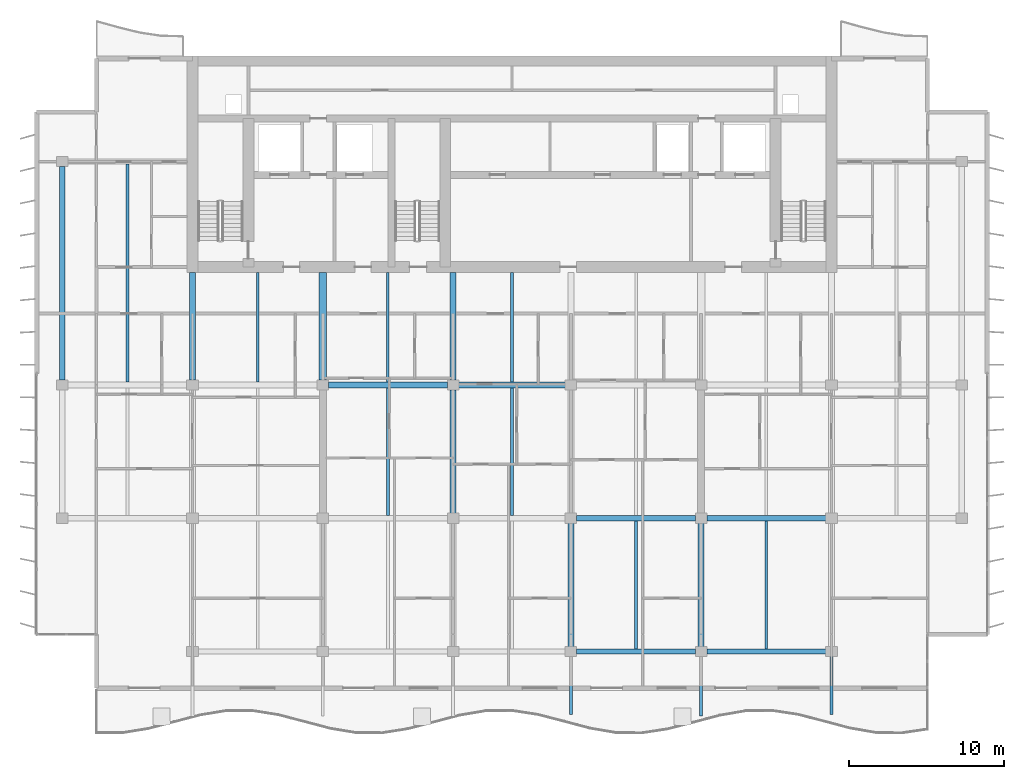
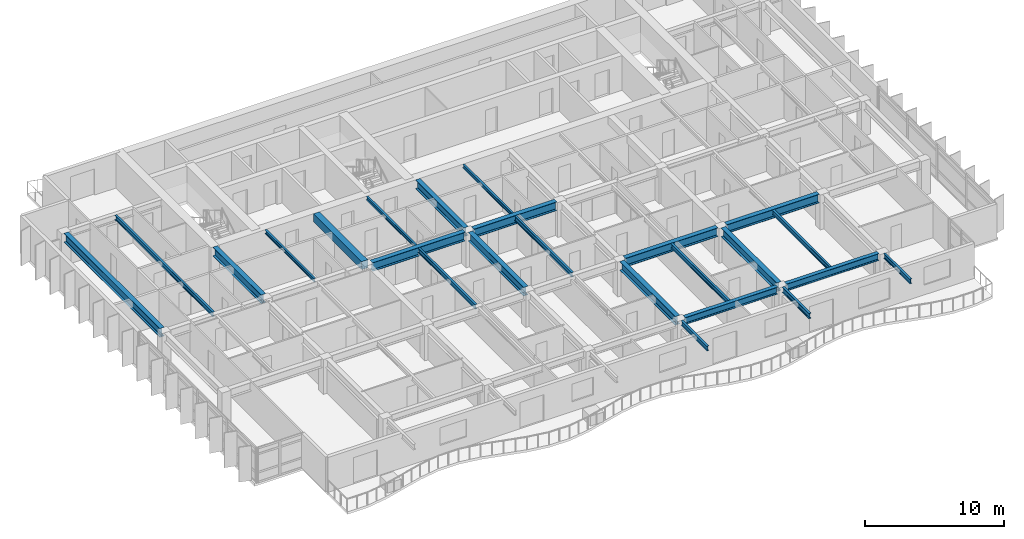
# One storey, part 3 of 16: 24 beams.
"""IFC4 building model written with IfcOpenShell, lengths in metres."""

from ifc_helpers import new_model, si_unit, direction, frame, origin, origin_2d, place, context, subcontext, project, spatial, rectangle, i_section, extrude, material, material_profile, profile_set, type_object, element, save


model = new_model("IFC4")

# Units and contexts
model_context = context("Model", 3, precision=1e-05, world=origin(), true_north=direction((0.0, 1.0)))
body_context = subcontext(model_context, "Body", "Model", "MODEL_VIEW")
ifc_project = project(units=[si_unit("LENGTHUNIT", "METRE"), si_unit("AREAUNIT", "SQUARE_METRE"), si_unit("VOLUMEUNIT", "CUBIC_METRE"), si_unit("PLANEANGLEUNIT", "RADIAN"), si_unit("MASSUNIT", "GRAM", prefix="KILO")], contexts=[model_context])

# Site, building, storey
site_placement = place(None, origin())
site = spatial("IfcSite", under=ifc_project, at=site_placement, CompositionType="ELEMENT")
building_placement = place(site_placement, origin())
building = spatial("IfcBuilding", under=site, at=building_placement, Name="Caelmar Bay Residences", CompositionType="ELEMENT")
storey_placement = place(building_placement, frame((0.0, 0.0, 239.699951171875)))
storey = spatial("IfcBuildingStorey", under=building, at=storey_placement, Name="L67", CompositionType="ELEMENT", Elevation=239.699951171875)

# Beams
ifc_material_1 = material(Name="Steel ASTM A992 Grade 50", Category="steel")
ifc_material_profile_1 = material_profile(ifc_material_1, i_section(OverallWidth=0.177978515625, OverallDepth=0.406005859375, WebThickness=0.0078125, FlangeThickness=0.0126953125, FilletRadius=0.0087890625, at=origin_2d()), Name="W16X40")
ifc_profile_set_1 = profile_set([ifc_material_profile_1], Name="Steel ASTM A992 Grade 50")
beam_type_1 = type_object("IfcBeamType", Name="BM-BAL-W16X40", PredefinedType="JOIST", material=ifc_profile_set_1)
for number, where, z_axis, x_axis, name in (
    (1, (46.89990234375, 12.362548828125, 2.84716796875), (0.0, 1.0, 0.0), (-1.0, 0.0, 0.0), "L67 Composite Floor Joist 4"),
    (2, (55.300048828125, 12.362548828125, 2.84716796875), (0.0, 1.0, 0.0), (-1.0, 0.0, 0.0), "L67 Composite Floor Joist 5"),
):
    element("IfcBeam", number, at=place(storey_placement, frame(where, z_axis=z_axis, x_axis=x_axis)), inside=storey, type_object=beam_type_1, Name=name, PredefinedType="JOIST", context=body_context, shape_type="SweptSolid", body=[
        extrude(i_section(OverallWidth=0.177978515625, OverallDepth=0.406005859375, WebThickness=0.0078125, FlangeThickness=0.0126953125, FilletRadius=0.0087890625, at=origin_2d()), origin(), (0.0, 0.0, 1.0), 8.2470703125),
    ])
for number, where, z_axis, x_axis, name in (
    (3, (30.89990234375, 20.990478515625, 2.84716796875), (0.0, 1.0, 0.0), (-1.0, 0.0, 0.0), "L67 Composite Floor Joist 8"),
    (4, (38.89990234375, 20.990478515625, 2.84716796875), (0.0, 1.0, 0.0), (-1.0, 0.0, 0.0), "L67 Composite Floor Joist 9"),
):
    element("IfcBeam", number, at=place(storey_placement, frame(where, z_axis=z_axis, x_axis=x_axis)), inside=storey, type_object=beam_type_1, Name=name, PredefinedType="JOIST", context=body_context, shape_type="SweptSolid", body=[
        extrude(i_section(OverallWidth=0.177978515625, OverallDepth=0.406005859375, WebThickness=0.0078125, FlangeThickness=0.0126953125, FilletRadius=0.0087890625, at=origin_2d()), origin(), (0.0, 0.0, 1.0), 8.218994140625),
    ])
beam_1_placement = place(storey_placement, frame((14.10009765625, 29.590576171875, 2.84716796875), z_axis=(0.0, 1.0, 0.0), x_axis=(-1.0, 0.0, 0.0)))
element("IfcBeam", 5, at=beam_1_placement, inside=storey, type_object=beam_type_1, Name="L67 Composite Floor Joist 18", PredefinedType="JOIST", context=body_context, shape_type="SweptSolid", body=[
    extrude(i_section(OverallWidth=0.177978515625, OverallDepth=0.406005859375, WebThickness=0.0078125, FlangeThickness=0.0126953125, FilletRadius=0.0087890625, at=origin_2d()), origin(), (0.0, 0.0, 1.0), 14.046875),
])
for number, where, z_axis, x_axis, name in (
    (6, (42.699951171875, 11.885009765625, 2.84716796875), (0.0, -1.0, 0.0), (1.0, 0.0, 0.0), "L68 South Balcony Cantilever Bracket 4"),
    (7, (59.5, 11.885009765625, 2.84716796875), (0.0, -1.0, 0.0), (1.0, 0.0, 0.0), "L68 South Balcony Cantilever Bracket 6"),
):
    element("IfcBeam", number, at=place(storey_placement, frame(where, z_axis=z_axis, x_axis=x_axis)), inside=storey, type_object=beam_type_1, Name=name, PredefinedType="JOIST", context=body_context, shape_type="SweptSolid", body=[
        extrude(i_section(OverallWidth=0.177978515625, OverallDepth=0.406005859375, WebThickness=0.0078125, FlangeThickness=0.0126953125, FilletRadius=0.0087890625, at=origin_2d()), origin(), (0.0, 0.0, 1.0), 3.74951171875),
    ])
ifc_material_profile_2 = material_profile(ifc_material_1, i_section(OverallWidth=0.193115234375, OverallDepth=0.467041015625, WebThickness=0.011474609375, FlangeThickness=0.01904296875, FilletRadius=0.01025390625, at=origin_2d()), Name="W18X65")
ifc_profile_set_2 = profile_set([ifc_material_profile_2], Name="Steel ASTM A992 Grade 50")
beam_type_2 = type_object("IfcBeamType", Name="BM-BAL-W18X65", PredefinedType="BEAM", material=ifc_profile_set_2)
beam_2_placement = place(storey_placement, frame((51.10009765625, 11.885009765625, 2.816650390625), z_axis=(0.0, -1.0, 0.0), x_axis=(1.0, 0.0, 0.0)))
element("IfcBeam", 8, at=beam_2_placement, inside=storey, type_object=beam_type_2, Name="L68 South Balcony Cantilever Bracket 5", PredefinedType="BEAM", context=body_context, shape_type="SweptSolid", body=[
    extrude(i_section(OverallWidth=0.193115234375, OverallDepth=0.467041015625, WebThickness=0.011474609375, FlangeThickness=0.01904296875, FilletRadius=0.01025390625, at=origin_2d()), origin(), (0.0, 0.0, 1.0), 3.85009765625),
])
ifc_material_profile_3 = material_profile(ifc_material_1, i_section(OverallWidth=0.381103515625, OverallDepth=0.77197265625, WebThickness=0.0166015625, FlangeThickness=0.027099609375, FilletRadius=0.0166015625, at=origin_2d()), Name="W30X173")
ifc_profile_set_3 = profile_set([ifc_material_profile_3], Name="Steel ASTM A992 Grade 50")
beam_type_3 = type_object("IfcBeamType", Name="BM-GRD-W30X173", PredefinedType="BEAM", material=ifc_profile_set_3)
beam_3_placement = place(storey_placement, frame((43.06494140625, 20.800048828125, 2.6640625), z_axis=(1.0, 0.0, 0.0), x_axis=(0.0, 1.0, 0.0)))
element("IfcBeam", 9, at=beam_3_placement, inside=storey, type_object=beam_type_3, Name="L67 East-West Girder Y=20.80 (42.7-51.1)", PredefinedType="BEAM", context=body_context, shape_type="SweptSolid", body=[
    extrude(i_section(OverallWidth=0.381103515625, OverallDepth=0.77197265625, WebThickness=0.0166015625, FlangeThickness=0.027099609375, FilletRadius=0.0166015625, at=origin_2d()), origin(), (0.0, 0.0, 1.0), 7.670166015625),
])
beam_4_placement = place(storey_placement, frame((51.465087890625, 20.800048828125, 2.6640625), z_axis=(1.0, 0.0, 0.0), x_axis=(0.0, 1.0, 0.0)))
element("IfcBeam", 10, at=beam_4_placement, inside=storey, type_object=beam_type_3, Name="L67 East-West Girder Y=20.80 (51.1-59.5)", PredefinedType="BEAM", context=body_context, shape_type="SweptSolid", body=[
    extrude(i_section(OverallWidth=0.381103515625, OverallDepth=0.77197265625, WebThickness=0.0166015625, FlangeThickness=0.027099609375, FilletRadius=0.0166015625, at=origin_2d()), origin(), (0.0, 0.0, 1.0), 7.669921875),
])
beam_5_placement = place(storey_placement, frame((27.06494140625, 29.39990234375, 2.6640625), z_axis=(1.0, 0.0, 0.0), x_axis=(0.0, 1.0, 0.0)))
element("IfcBeam", 11, at=beam_5_placement, inside=storey, type_object=beam_type_3, Name="L67 East-West Girder Y=29.40 (26.7-35.1)", PredefinedType="BEAM", context=body_context, shape_type="SweptSolid", body=[
    extrude(i_section(OverallWidth=0.381103515625, OverallDepth=0.77197265625, WebThickness=0.0166015625, FlangeThickness=0.027099609375, FilletRadius=0.0166015625, at=origin_2d()), origin(), (0.0, 0.0, 1.0), 7.670166015625),
])
beam_6_placement = place(storey_placement, frame((35.465087890625, 29.39990234375, 2.6640625), z_axis=(1.0, 0.0, 0.0), x_axis=(0.0, 1.0, 0.0)))
element("IfcBeam", 12, at=beam_6_placement, inside=storey, type_object=beam_type_3, Name="L67 East-West Girder Y=29.40 (35.1-42.7)", PredefinedType="BEAM", context=body_context, shape_type="SweptSolid", body=[
    extrude(i_section(OverallWidth=0.381103515625, OverallDepth=0.77197265625, WebThickness=0.0166015625, FlangeThickness=0.027099609375, FilletRadius=0.0166015625, at=origin_2d()), origin(), (0.0, 0.0, 1.0), 6.869873046875),
])
beam_7_placement = place(storey_placement, frame((9.89990234375, 29.715087890625, 2.6640625), z_axis=(0.0, 1.0, 0.0), x_axis=(-1.0, 0.0, 0.0)))
element("IfcBeam", 13, at=beam_7_placement, inside=storey, type_object=beam_type_3, Name="L67 North-South Girder X=9.90 (29.4-43.8)", PredefinedType="BEAM", context=body_context, shape_type="SweptSolid", body=[
    extrude(i_section(OverallWidth=0.381103515625, OverallDepth=0.77197265625, WebThickness=0.0166015625, FlangeThickness=0.027099609375, FilletRadius=0.0166015625, at=origin_2d()), origin(), (0.0, 0.0, 1.0), 13.77001953125),
])
for number, where, z_axis, x_axis, name in (
    (14, (18.300048828125, 29.715087890625, 2.6640625), (0.0, 1.0, 0.0), (-1.0, 0.0, 0.0), "L67 Core Tie Girder X=18.30"),
    (15, (35.10009765625, 29.715087890625, 2.6640625), (0.0, 1.0, 0.0), (-1.0, 0.0, 0.0), "L67 Core Tie Girder X=35.10"),
):
    element("IfcBeam", number, at=place(storey_placement, frame(where, z_axis=z_axis, x_axis=x_axis)), inside=storey, type_object=beam_type_3, Name=name, PredefinedType="BEAM", context=body_context, shape_type="SweptSolid", body=[
        extrude(i_section(OverallWidth=0.381103515625, OverallDepth=0.77197265625, WebThickness=0.0166015625, FlangeThickness=0.027099609375, FilletRadius=0.0166015625, at=origin_2d()), origin(), (0.0, 0.0, 1.0), 6.934814453125),
    ])
beam_8_placement = place(storey_placement, frame((35.10009765625, 21.114990234375, 2.6640625), z_axis=(0.0, 1.0, 0.0), x_axis=(-1.0, 0.0, 0.0)))
element("IfcBeam", 16, at=beam_8_placement, inside=storey, type_object=beam_type_3, Name="L67 North-South Girder X=35.10 (20.8-29.4)", PredefinedType="BEAM", context=body_context, shape_type="SweptSolid", body=[
    extrude(i_section(OverallWidth=0.381103515625, OverallDepth=0.77197265625, WebThickness=0.0166015625, FlangeThickness=0.027099609375, FilletRadius=0.0166015625, at=origin_2d()), origin(), (0.0, 0.0, 1.0), 7.969970703125),
])
for number, where, z_axis, x_axis, name in (
    (17, (42.699951171875, 12.514892578125, 2.6640625), (0.0, 1.0, 0.0), (-1.0, 0.0, 0.0), "L67 North-South Girder X=42.70 (12.2-20.8)"),
    (18, (51.10009765625, 12.514892578125, 2.6640625), (0.0, 1.0, 0.0), (-1.0, 0.0, 0.0), "L67 North-South Girder X=51.10 (12.2-20.8)"),
):
    element("IfcBeam", number, at=place(storey_placement, frame(where, z_axis=z_axis, x_axis=x_axis)), inside=storey, type_object=beam_type_3, Name=name, PredefinedType="BEAM", context=body_context, shape_type="SweptSolid", body=[
        extrude(i_section(OverallWidth=0.381103515625, OverallDepth=0.77197265625, WebThickness=0.0166015625, FlangeThickness=0.027099609375, FilletRadius=0.0166015625, at=origin_2d()), origin(), (0.0, 0.0, 1.0), 7.97021484375),
    ])
ifc_material_profile_4 = material_profile(ifc_material_1, i_section(OverallWidth=0.1650390625, OverallDepth=0.31005859375, WebThickness=0.005859375, FlangeThickness=0.009765625, FilletRadius=0.007568359375, at=origin_2d()), Name="W12X26")
ifc_profile_set_4 = profile_set([ifc_material_profile_4], Name="Steel ASTM A992 Grade 50")
beam_type_4 = type_object("IfcBeamType", Name="BM-JST-W12X26", PredefinedType="JOIST", material=ifc_profile_set_4)
for number, where, z_axis, x_axis, name in (
    (19, (22.5, 29.590576171875, 2.89501953125), (0.0, 1.0, 0.0), (-1.0, 0.0, 0.0), "L67 Core-Band Composite Joist 13"),
    (20, (30.89990234375, 29.590576171875, 2.89501953125), (0.0, 1.0, 0.0), (-1.0, 0.0, 0.0), "L67 Core-Band Composite Joist 14"),
    (21, (38.89990234375, 29.590576171875, 2.89501953125), (0.0, 1.0, 0.0), (-1.0, 0.0, 0.0), "L67 Core-Band Composite Joist 15"),
):
    element("IfcBeam", number, at=place(storey_placement, frame(where, z_axis=z_axis, x_axis=x_axis)), inside=storey, type_object=beam_type_4, Name=name, PredefinedType="JOIST", context=body_context, shape_type="SweptSolid", body=[
        extrude(i_section(OverallWidth=0.1650390625, OverallDepth=0.31005859375, WebThickness=0.005859375, FlangeThickness=0.009765625, FilletRadius=0.007568359375, at=origin_2d()), origin(), (0.0, 0.0, 1.0), 7.059326171875),
    ])
ifc_material_2 = material(Name="Concrete f'c 55 MPa (8,000 psi)", Category="concrete")
ifc_material_profile_5 = material_profile(ifc_material_2, rectangle(XDim=0.5, YDim=0.699951171875, at=origin_2d()), Name="RC-BM-500X700")
ifc_profile_set_5 = profile_set([ifc_material_profile_5], Name="Concrete f'c 55 MPa (8,000 psi)")
beam_type_5 = type_object("IfcBeamType", Name="BM-RC-500X700", PredefinedType="LINTEL", material=ifc_profile_set_5)
beam_9_placement = place(storey_placement, frame((26.699951171875, 29.715087890625, 2.699951171875), z_axis=(0.0, 1.0, 0.0), x_axis=(-1.0, 0.0, 0.0)))
element("IfcBeam", 22, at=beam_9_placement, inside=storey, type_object=beam_type_5, Name="L67 Shear-Wall Corridor Coupling Lintel W5", PredefinedType="LINTEL", context=body_context, shape_type="SweptSolid", body=[
    extrude(rectangle(XDim=0.5, YDim=0.699951171875, at=origin_2d()), origin(), (0.0, 0.0, 1.0), 6.934814453125),
])
ifc_material_profile_6 = material_profile(ifc_material_1, i_section(OverallWidth=0.324951171875, OverallDepth=0.616943359375, WebThickness=0.013916015625, FlangeThickness=0.021484375, FilletRadius=0.0126953125, at=origin_2d()), Name="W24X117")
ifc_profile_set_6 = profile_set([ifc_material_profile_6], Name="Steel ASTM A992 Grade 50")
beam_type_6 = type_object("IfcBeamType", Name="BM-SPN-W24X117", PredefinedType="SPANDREL", material=ifc_profile_set_6)
beam_10_placement = place(storey_placement, frame((43.06494140625, 12.199951171875, 2.741455078125), z_axis=(1.0, 0.0, 0.0), x_axis=(0.0, 1.0, 0.0)))
element("IfcBeam", 23, at=beam_10_placement, inside=storey, type_object=beam_type_6, Name="L67 East-West Girder Y=12.20 (42.7-51.1)", PredefinedType="SPANDREL", context=body_context, shape_type="SweptSolid", body=[
    extrude(i_section(OverallWidth=0.324951171875, OverallDepth=0.616943359375, WebThickness=0.013916015625, FlangeThickness=0.021484375, FilletRadius=0.0126953125, at=origin_2d()), origin(), (0.0, 0.0, 1.0), 7.670166015625),
])
beam_11_placement = place(storey_placement, frame((51.465087890625, 12.199951171875, 2.741455078125), z_axis=(1.0, 0.0, 0.0), x_axis=(0.0, 1.0, 0.0)))
element("IfcBeam", 24, at=beam_11_placement, inside=storey, type_object=beam_type_6, Name="L67 East-West Girder Y=12.20 (51.1-59.5)", PredefinedType="SPANDREL", context=body_context, shape_type="SweptSolid", body=[
    extrude(i_section(OverallWidth=0.324951171875, OverallDepth=0.616943359375, WebThickness=0.013916015625, FlangeThickness=0.021484375, FilletRadius=0.0126953125, at=origin_2d()), origin(), (0.0, 0.0, 1.0), 7.669921875),
])

save(model, "model.ifc")
